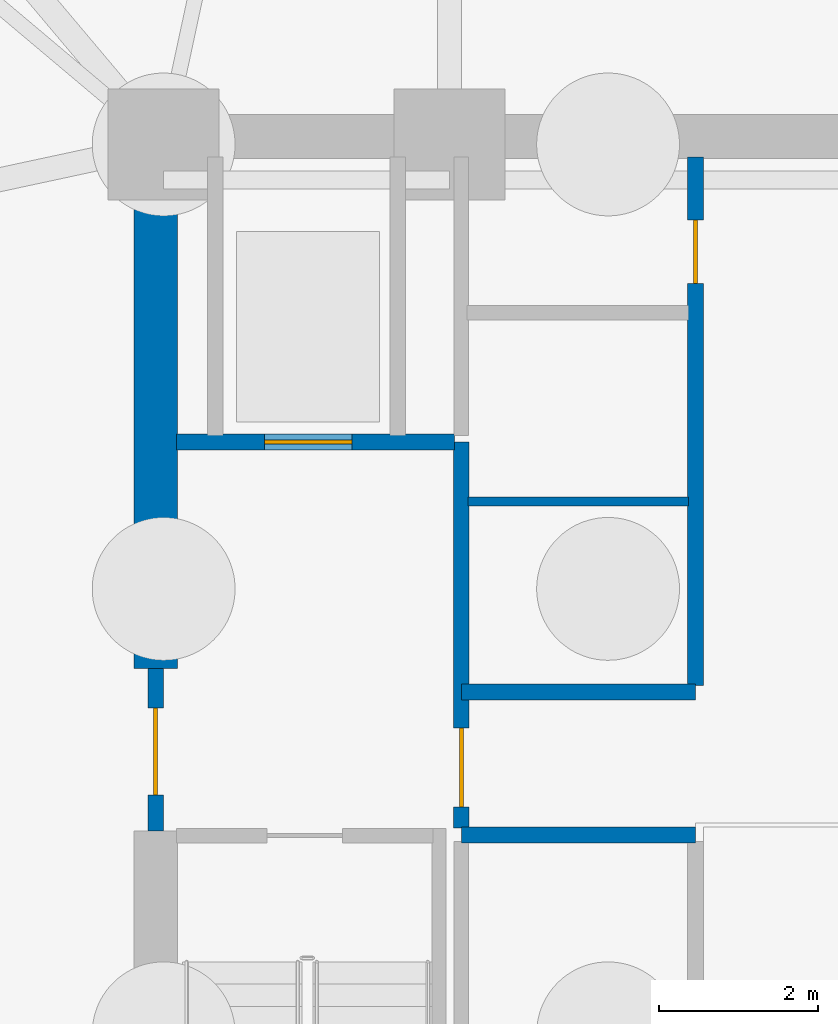
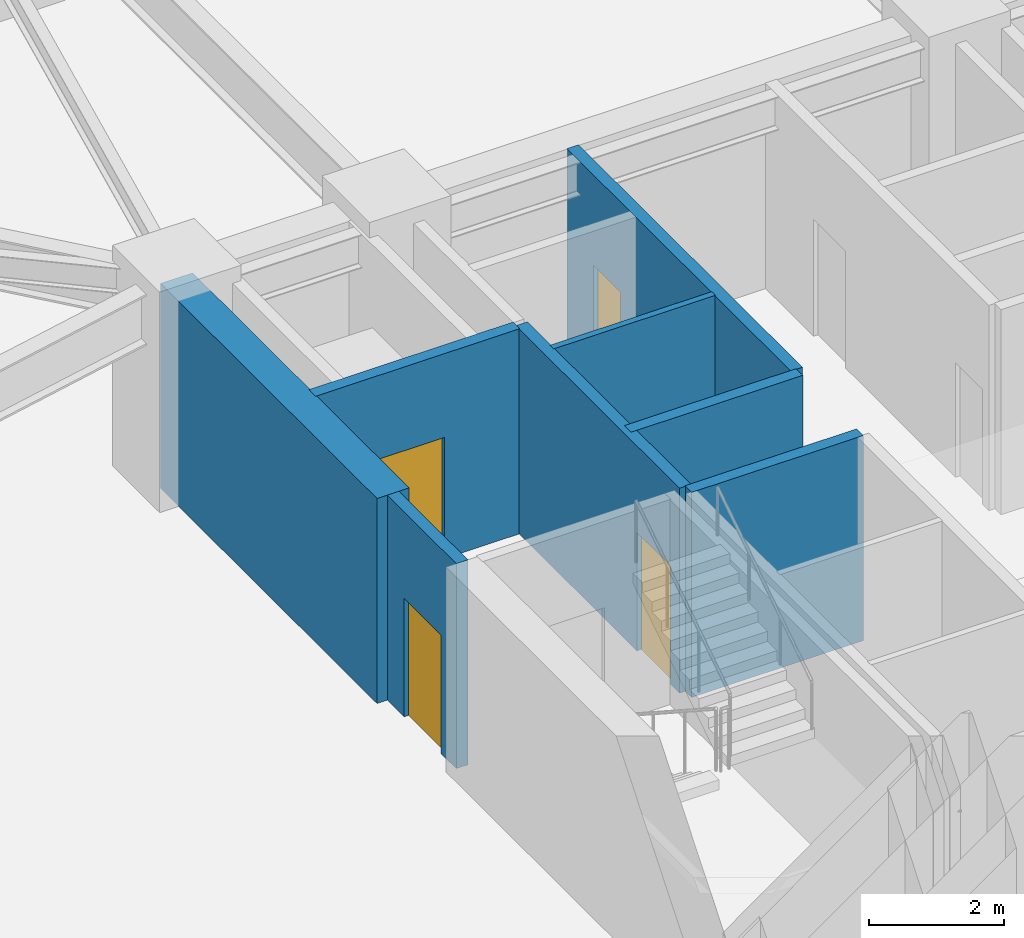
# One storey, part 3 of 10: 8 walls, 4 doors, 4 openings.
"""IFC4 building model written with IfcOpenShell, lengths in metres."""

from ifc_helpers import new_model, si_unit, direction, frame, frame_2d, origin, place, context, subcontext, project, spatial, rectangle, extrude, material, layer, layer_set, type_object, element, fill, save


model = new_model("IFC4")

# Units and contexts
model_context = context("Model", 3, precision=1e-05, world=origin(), true_north=direction((0.0, 1.0)))
body_context = subcontext(model_context, "Body", "Model", "MODEL_VIEW")
ifc_project = project(units=[si_unit("LENGTHUNIT", "METRE"), si_unit("AREAUNIT", "SQUARE_METRE"), si_unit("VOLUMEUNIT", "CUBIC_METRE"), si_unit("PLANEANGLEUNIT", "RADIAN"), si_unit("MASSUNIT", "GRAM", prefix="KILO")], contexts=[model_context])

# Site, building, storey
site_placement = place(None, origin())
site = spatial("IfcSite", under=ifc_project, at=site_placement, CompositionType="ELEMENT")
building_placement = place(site_placement, origin())
building = spatial("IfcBuilding", under=site, at=building_placement, Name="Cairnveth Concourse Tower", CompositionType="ELEMENT")
storey_placement = place(building_placement, frame((0.0, 0.0, -8.0)))
storey = spatial("IfcBuildingStorey", under=building, at=storey_placement, Name="B02", CompositionType="ELEMENT", Elevation=-8.0)

# Walls
ifc_material_1 = material(Name="Concrete N80 (80 MPa)", Category="concrete")
ifc_layer_1 = layer(ifc_material_1, 0.550048828125)
ifc_layer_set_1 = layer_set([ifc_layer_1], Name="Concrete N80 (80 MPa)")
wall_type_1 = type_object("IfcWallType", Name="CORE SHEAR WALL 550", PredefinedType="SHEAR", material=ifc_layer_set_1)
wall_1_placement = place(storey_placement, frame((43.5, 40.800048828125, 0.0), z_axis=(0.0, 0.0, 1.0), x_axis=(0.0, 1.0, 0.0)))
element("IfcWall", 1, at=wall_1_placement, inside=storey, type_object=wall_type_1, Name="Core West Shear Wall N B02", PredefinedType="SHEAR", context=body_context, shape_type="SweptSolid", body=[
    extrude(rectangle(XDim=6.43505859375, YDim=0.550048828125, at=frame_2d((3.217529296875, 0.0))), origin(), (0.0, 0.0, 1.0), 3.719970703125),
])
ifc_material_2 = material(Name="Concrete N50 (50 MPa)", Category="concrete")
ifc_layer_2 = layer(ifc_material_2, 0.199951171875)
ifc_layer_set_2 = layer_set([ifc_layer_2], Name="Concrete N50 (50 MPa)")
wall_type_2 = type_object("IfcWallType", Name="FIRE SHAFT WALL 200", PredefinedType="SOLIDWALL", material=ifc_layer_set_2)
for number, where, z_axis, x_axis, name in (
    (2, (47.35009765625, 38.699951171875, 0.0), (0.0, 0.0, 1.0), (1.0, 0.0, 0.0), "Interior Wall IW-B02-007"),
    (3, (47.35009765625, 40.5, 0.0), (0.0, 0.0, 1.0), (1.0, 0.0, 0.0), "Interior Wall IW-B02-008"),
):
    element("IfcWall", number, at=place(storey_placement, frame(where, z_axis=z_axis, x_axis=x_axis)), inside=storey, type_object=wall_type_2, Name=name, PredefinedType="SOLIDWALL", context=body_context, shape_type="SweptSolid", body=[
        extrude(rectangle(XDim=2.949951171875, YDim=0.199951171875, at=frame_2d((1.47509765625, 0.0))), origin(), (0.0, 0.0, 1.0), 3.719970703125),
    ])

# Wall, opening, door
wall_2_placement = place(storey_placement, frame((50.300048828125, 40.5849609375, 0.0), z_axis=(0.0, 0.0, 1.0), x_axis=(0.0, 1.0, 0.0)))
wall_2 = element("IfcWall", 4, at=wall_2_placement, inside=storey, type_object=wall_type_2, Name="Interior Wall IW-B02-013", PredefinedType="SOLIDWALL", context=body_context, shape_type="SweptSolid", body=[
    extrude(rectangle(XDim=6.655029296875, YDim=0.199951171875, at=frame_2d((3.32763671875, 0.0))), origin(), (0.0, 0.0, 1.0), 3.719970703125),
])
opening_1_placement = place(wall_2_placement, frame((5.06494140625, 0.0, 0.0)))
opening_1 = element("IfcOpeningElement", 5, at=opening_1_placement, cuts=wall_2, Name="Opening ID24", PredefinedType="OPENING", context=body_context, shape_type="SweptSolid", body=[
    extrude(rectangle(XDim=0.800048828125, YDim=2.080078125, at=frame_2d((0.39990234375, 1.0400390625))), frame((0.0, 0.10986328125, 0.0), z_axis=(0.0, -1.0, 0.0), x_axis=(1.0, 0.0, 0.0)), (0.0, 0.0, 1.0), 0.219970703125),
])
ifc_material_3 = material(Name="Steel Grade 350", Category="steel")
door_type_1 = type_object("IfcDoorType", Name="RISER ACCESS DOOR 800X2100", OperationType="NOTDEFINED", PredefinedType="DOOR", material=ifc_material_3)
door_1_placement = place(opening_1_placement, origin())
door_1 = element("IfcDoor", 6, at=door_1_placement, inside=storey, type_object=door_type_1, Name="NW Electrical Riser Access Door B02", OperationType="SINGLE_SWING_LEFT", OverallHeight=2.080078125, OverallWidth=0.800048828125, PredefinedType="DOOR", context=body_context, shape_type="SweptSolid", body=[
    extrude(rectangle(XDim=0.800048828125, YDim=2.080078125, at=frame_2d((0.39990234375, 1.0400390625))), frame((0.0, 0.02490234375, 0.0), z_axis=(0.0, -1.0, 0.0), x_axis=(1.0, 0.0, 0.0)), (0.0, 0.0, 1.0), 0.050048828125),
])
fill(opening_1, door_1)

wall_3_placement = place(storey_placement, frame((43.5, 38.75, 0.0), z_axis=(0.0, 0.0, 1.0), x_axis=(0.0, 1.0, 0.0)))
wall_3 = element("IfcWall", 7, at=wall_3_placement, inside=storey, type_object=wall_type_2, Name="Interior Wall IW-B02-015", PredefinedType="SOLIDWALL", context=body_context, shape_type="SweptSolid", body=[
    extrude(rectangle(XDim=2.050048828125, YDim=0.199951171875, at=frame_2d((1.02490234375, 0.0))), origin(), (0.0, 0.0, 1.0), 3.719970703125),
])
opening_2_placement = place(wall_3_placement, frame((0.449951171875, 0.0, 0.0)))
opening_2 = element("IfcOpeningElement", 8, at=opening_2_placement, cuts=wall_3, Name="Opening ID06", PredefinedType="OPENING", context=body_context, shape_type="SweptSolid", body=[
    extrude(rectangle(XDim=1.10009765625, YDim=2.14990234375, at=frame_2d((0.550048828125, 1.074951171875))), frame((0.0, 0.10986328125, 0.0), z_axis=(0.0, -1.0, 0.0), x_axis=(1.0, 0.0, 0.0)), (0.0, 0.0, 1.0), 0.219970703125),
])
door_type_2 = type_object("IfcDoorType", Name="FIRE CORRIDOR DOOR 1100X2150", OperationType="NOTDEFINED", PredefinedType="DOOR", material=ifc_material_3)
door_2_placement = place(opening_2_placement, origin())
door_2 = element("IfcDoor", 9, at=door_2_placement, inside=storey, type_object=door_type_2, Name="West Wing to FF Lobby Door B02", OperationType="SINGLE_SWING_LEFT", OverallHeight=2.14990234375, OverallWidth=1.10009765625, PredefinedType="DOOR", context=body_context, shape_type="SweptSolid", body=[
    extrude(rectangle(XDim=1.10009765625, YDim=2.14990234375, at=frame_2d((0.550048828125, 1.074951171875))), frame((0.0, 0.02490234375, 0.0), z_axis=(0.0, -1.0, 0.0), x_axis=(1.0, 0.0, 0.0)), (0.0, 0.0, 1.0), 0.050048828125),
])
fill(opening_2, door_2)

wall_4_placement = place(storey_placement, frame((47.35009765625, 38.784912109375, 0.0), z_axis=(0.0, 0.0, 1.0), x_axis=(0.0, 1.0, 0.0)))
wall_4 = element("IfcWall", 10, at=wall_4_placement, inside=storey, type_object=wall_type_2, Name="Interior Wall IW-B02-016", PredefinedType="SOLIDWALL", context=body_context, shape_type="SweptSolid", body=[
    extrude(rectangle(XDim=4.864990234375, YDim=0.199951171875, at=frame_2d((2.4326171875, 0.0))), origin(), (0.0, 0.0, 1.0), 3.719970703125),
])
opening_3_placement = place(wall_4_placement, frame((0.264892578125, 0.0, 0.0)))
opening_3 = element("IfcOpeningElement", 11, at=opening_3_placement, cuts=wall_4, Name="Opening ID07", PredefinedType="OPENING", context=body_context, shape_type="SweptSolid", body=[
    extrude(rectangle(XDim=1.0, YDim=2.14990234375, at=frame_2d((0.5, 1.074951171875))), frame((0.0, 0.10986328125, 0.0), z_axis=(0.0, -1.0, 0.0), x_axis=(1.0, 0.0, 0.0)), (0.0, 0.0, 1.0), 0.219970703125),
])
door_type_3 = type_object("IfcDoorType", Name="FIRE CORRIDOR DOOR 1000X2150", OperationType="NOTDEFINED", PredefinedType="DOOR", material=ifc_material_3)
door_3_placement = place(opening_3_placement, origin())
door_3 = element("IfcDoor", 12, at=door_3_placement, inside=storey, type_object=door_type_3, Name="FF Lobby West to Lift Lobby Door B02", OperationType="SINGLE_SWING_RIGHT", OverallHeight=2.14990234375, OverallWidth=1.0, PredefinedType="DOOR", context=body_context, shape_type="SweptSolid", body=[
    extrude(rectangle(XDim=1.0, YDim=2.14990234375, at=frame_2d((0.5, 1.074951171875))), frame((0.0, 0.02490234375, 0.0), z_axis=(0.0, -1.0, 0.0), x_axis=(1.0, 0.0, 0.0)), (0.0, 0.0, 1.0), 0.050048828125),
])
fill(opening_3, door_3)

wall_5_placement = place(storey_placement, frame((43.760009765625, 43.64990234375, 0.0), z_axis=(0.0, 0.0, 1.0), x_axis=(1.0, 0.0, 0.0)))
wall_5 = element("IfcWall", 13, at=wall_5_placement, inside=storey, type_object=wall_type_2, Name="Interior Wall IW-B02-017", PredefinedType="SOLIDWALL", context=body_context, shape_type="SweptSolid", body=[
    extrude(rectangle(XDim=3.5048828125, YDim=0.199951171875, at=frame_2d((1.75244140625, 0.0))), origin(), (0.0, 0.0, 1.0), 3.719970703125),
])
opening_4_placement = place(wall_5_placement, frame((1.110107421875, 0.0, 0.0)))
opening_4 = element("IfcOpeningElement", 14, at=opening_4_placement, cuts=wall_5, Name="Opening LD-1", PredefinedType="OPENING", context=body_context, shape_type="SweptSolid", body=[
    extrude(rectangle(XDim=1.10009765625, YDim=2.199951171875, at=frame_2d((0.550048828125, 1.10009765625))), frame((0.0, 0.10986328125, 0.0), z_axis=(0.0, -1.0, 0.0), x_axis=(1.0, 0.0, 0.0)), (0.0, 0.0, 1.0), 0.219970703125),
])
ifc_material_4 = material(Name="Architectural Bronze Anodised Aluminium 6063-T6", Category="aluminium")
door_type_4 = type_object("IfcDoorType", Name="LIFT LANDING DOOR 1100X2200", OperationType="SLIDING_TO_LEFT", PredefinedType="DOOR", material=ifc_material_4)
door_4_placement = place(opening_4_placement, origin())
door_4 = element("IfcDoor", 15, at=door_4_placement, inside=storey, type_object=door_type_4, Name="Lift FFL1 Landing Door B02", OperationType="SLIDING_TO_LEFT", OverallHeight=2.199951171875, OverallWidth=1.10009765625, PredefinedType="DOOR", context=body_context, shape_type="SweptSolid", body=[
    extrude(rectangle(XDim=1.10009765625, YDim=2.199951171875, at=frame_2d((0.550048828125, 1.10009765625))), frame((0.0, 0.02490234375, 0.0), z_axis=(0.0, -1.0, 0.0), x_axis=(1.0, 0.0, 0.0)), (0.0, 0.0, 1.0), 0.050048828125),
])
fill(opening_4, door_4)

# Wall
ifc_material_5 = material(Name="Gypsum Plasterboard Partition", Category="gypsum")
ifc_layer_3 = layer(ifc_material_5, 0.110107421875)
ifc_layer_set_3 = layer_set([ifc_layer_3], Name="Gypsum Plasterboard Partition")
wall_type_3 = type_object("IfcWallType", Name="SHAFT DIVIDER WALL 140", PredefinedType="PARTITIONING", material=ifc_layer_set_3)
wall_6_placement = place(storey_placement, frame((47.43505859375, 42.89990234375, 0.0), z_axis=(0.0, 0.0, 1.0), x_axis=(1.0, 0.0, 0.0)))
element("IfcWall", 16, at=wall_6_placement, inside=storey, type_object=wall_type_3, Name="Interior Wall IW-B02-032", PredefinedType="PARTITIONING", context=body_context, shape_type="SweptSolid", body=[
    extrude(rectangle(XDim=2.780029296875, YDim=0.110107421875, at=frame_2d((1.39013671875, 0.0))), origin(), (0.0, 0.0, 1.0), 3.719970703125),
])

save(model, "model.ifc")
